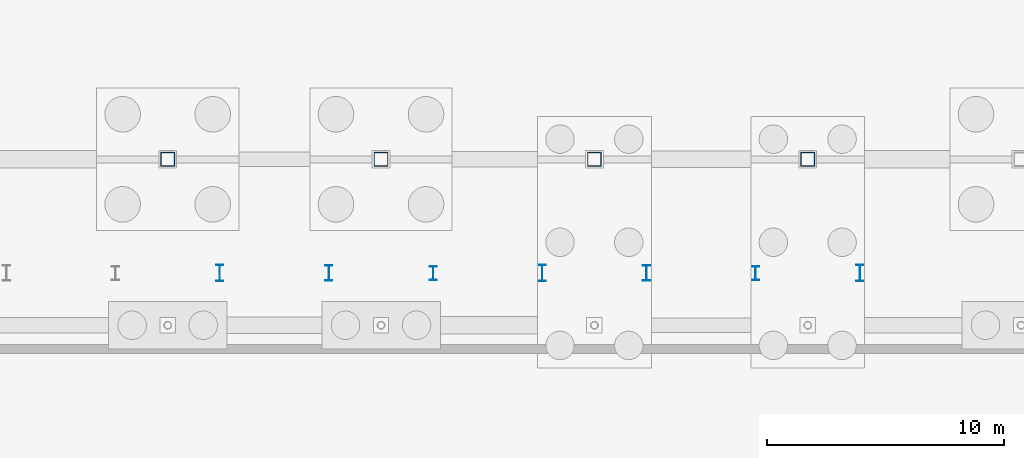
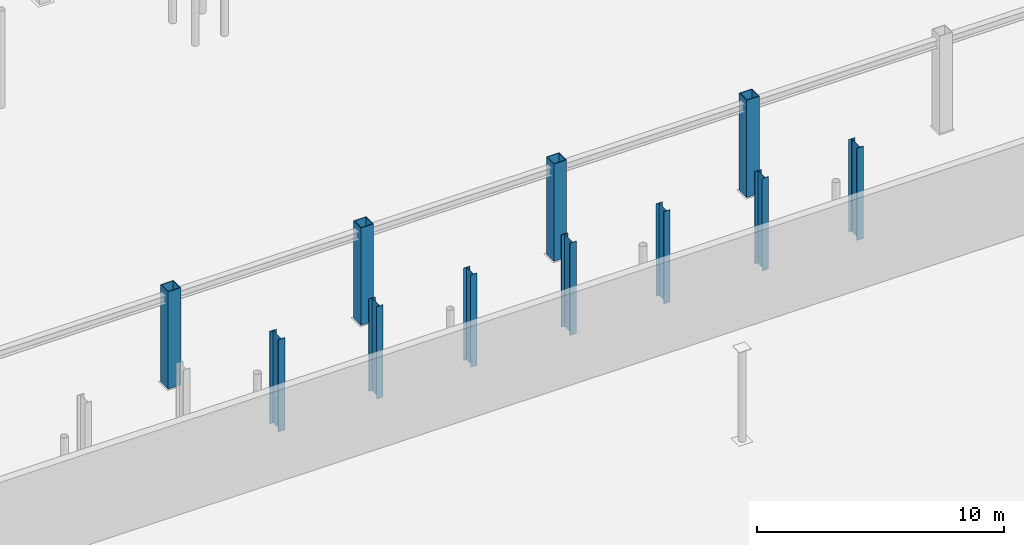
# One storey, part 20 of 74: 11 columns.
"""IFC4 building model written with IfcOpenShell, lengths in metres."""

from ifc_helpers import new_model, si_unit, direction, frame, origin, origin_2d, place, context, subcontext, project, spatial, hollow_rectangle, i_section, extrude, material, material_profile, profile_set, type_object, element, save


model = new_model("IFC4")

# Units and contexts
model_context = context("Model", 3, precision=1e-05, world=origin(), true_north=direction((0.0, 1.0)))
body_context = subcontext(model_context, "Body", "Model", "MODEL_VIEW")
ifc_project = project(units=[si_unit("LENGTHUNIT", "METRE"), si_unit("AREAUNIT", "SQUARE_METRE"), si_unit("VOLUMEUNIT", "CUBIC_METRE"), si_unit("PLANEANGLEUNIT", "RADIAN"), si_unit("MASSUNIT", "GRAM", prefix="KILO")], contexts=[model_context])

# Site, building, storey
site_placement = place(None, origin())
site = spatial("IfcSite", under=ifc_project, at=site_placement, CompositionType="ELEMENT")
building_placement = place(site_placement, origin())
building = spatial("IfcBuilding", under=site, at=building_placement, Name="Suzunagisa Mobility Hub", CompositionType="ELEMENT")
storey_placement = place(building_placement, frame((0.0, 0.0, -4.800048828125)))
storey = spatial("IfcBuildingStorey", under=building, at=storey_placement, Name="B1", CompositionType="ELEMENT", Elevation=-4.800048828125)

# Columns
ifc_material = material(Name="Steel SN490B", Category="steel")
ifc_material_profile_1 = material_profile(ifc_material, hollow_rectangle(XDim=0.60009765625, YDim=0.60009765625, WallThickness=0.031982421875, at=origin_2d()), Name="BOX-600x600x32")
ifc_profile_set_1 = profile_set([ifc_material_profile_1], Name="Steel SN490B")
column_type_1 = type_object("IfcColumnType", Name="Steel Column CL-05 BOX-600x600x32", PredefinedType="COLUMN", material=ifc_profile_set_1)
for number, where, z_axis, x_axis, name in (
    (1, (63.0, 36.0, 0.0), (0.0, 0.0, 1.0), (1.0, 0.0, 0.0), "B1 Column 135"),
    (2, (72.0, 36.0, 0.0), (0.0, 0.0, 1.0), (1.0, 0.0, 0.0), "B1 Column 151"),
    (3, (81.0, 36.0, 0.0), (0.0, 0.0, 1.0), (1.0, 0.0, 0.0), "B1 Column 167"),
    (4, (90.0, 36.0, 0.0), (0.0, 0.0, 1.0), (1.0, 0.0, 0.0), "B1 Column 183"),
):
    element("IfcColumn", number, at=place(storey_placement, frame(where, z_axis=z_axis, x_axis=x_axis)), inside=storey, type_object=column_type_1, Name=name, PredefinedType="COLUMN", context=body_context, shape_type="SweptSolid", body=[
        extrude(hollow_rectangle(XDim=0.60009765625, YDim=0.60009765625, WallThickness=0.031982421875, at=origin_2d()), origin(), (0.0, 0.0, 1.0), 4.800048828125),
    ])
ifc_material_profile_2 = material_profile(ifc_material, i_section(OverallWidth=0.300048828125, OverallDepth=0.587890625, WebThickness=0.011962890625, FlangeThickness=0.02001953125, FilletRadius=0.012939453125, at=origin_2d()), Name="H-588x300x12x20")
ifc_profile_set_2 = profile_set([ifc_material_profile_2], Name="Steel SN490B")
column_type_2 = type_object("IfcColumnType", Name="Steel Column CL-06 H-588x300x12x20", PredefinedType="PILASTER", material=ifc_profile_set_2)
for number, where, z_axis, x_axis, name in (
    (5, (74.199951171875, 31.199951171875, 0.0), (0.0, 0.0, 1.0), (1.0, 0.0, 0.0), "B1 Colonnade Pilaster Pier PL-05"),
    (6, (87.800048828125, 31.199951171875, 0.0), (0.0, 0.0, 1.0), (1.0, 0.0, 0.0), "B1 Colonnade Pilaster Pier PL-08"),
):
    element("IfcColumn", number, at=place(storey_placement, frame(where, z_axis=z_axis, x_axis=x_axis)), inside=storey, type_object=column_type_2, Name=name, PredefinedType="PILASTER", context=body_context, shape_type="SweptSolid", body=[
        extrude(i_section(OverallWidth=0.300048828125, OverallDepth=0.587890625, WebThickness=0.011962890625, FlangeThickness=0.02001953125, FilletRadius=0.012939453125, at=origin_2d()), origin(), (0.0, 0.0, 1.0), 4.554931640625),
    ])
ifc_material_profile_3 = material_profile(ifc_material, i_section(OverallWidth=0.300048828125, OverallDepth=0.699951171875, WebThickness=0.012939453125, FlangeThickness=0.02392578125, FilletRadius=0.01806640625, at=origin_2d()), Name="H-700x300x13x24")
ifc_profile_set_3 = profile_set([ifc_material_profile_3], Name="Steel SN490B")
column_type_3 = type_object("IfcColumnType", Name="Steel Column CL-14 H-700x300x13x24", PredefinedType="PILASTER", material=ifc_profile_set_3)
for number, where, z_axis, x_axis, name in (
    (7, (65.199951171875, 31.199951171875, 0.0), (0.0, 0.0, 1.0), (1.0, 0.0, 0.0), "B1 Colonnade Pilaster Pier PL-03"),
    (8, (78.800048828125, 31.199951171875, 0.0), (0.0, 0.0, 1.0), (1.0, 0.0, 0.0), "B1 Colonnade Pilaster Pier PL-06"),
    (9, (92.199951171875, 31.199951171875, 0.0), (0.0, 0.0, 1.0), (1.0, 0.0, 0.0), "B1 Colonnade Pilaster Pier PL-09"),
):
    element("IfcColumn", number, at=place(storey_placement, frame(where, z_axis=z_axis, x_axis=x_axis)), inside=storey, type_object=column_type_3, Name=name, PredefinedType="PILASTER", context=body_context, shape_type="SweptSolid", body=[
        extrude(i_section(OverallWidth=0.300048828125, OverallDepth=0.699951171875, WebThickness=0.012939453125, FlangeThickness=0.02392578125, FilletRadius=0.01806640625, at=origin_2d()), origin(), (0.0, 0.0, 1.0), 4.554931640625),
    ])
ifc_material_profile_4 = material_profile(ifc_material, i_section(OverallWidth=0.300048828125, OverallDepth=0.64990234375, WebThickness=0.012939453125, FlangeThickness=0.02197265625, FilletRadius=0.01611328125, at=origin_2d()), Name="H-650x300x13x22")
ifc_profile_set_4 = profile_set([ifc_material_profile_4], Name="Steel SN490B")
column_type_4 = type_object("IfcColumnType", Name="Steel Column CL-16 H-650x300x13x22", PredefinedType="PILASTER", material=ifc_profile_set_4)
for number, where, z_axis, x_axis, name in (
    (10, (69.800048828125, 31.199951171875, 0.0), (0.0, 0.0, 1.0), (1.0, 0.0, 0.0), "B1 Colonnade Pilaster Pier PL-04"),
    (11, (83.199951171875, 31.199951171875, 0.0), (0.0, 0.0, 1.0), (1.0, 0.0, 0.0), "B1 Colonnade Pilaster Pier PL-07"),
):
    element("IfcColumn", number, at=place(storey_placement, frame(where, z_axis=z_axis, x_axis=x_axis)), inside=storey, type_object=column_type_4, Name=name, PredefinedType="PILASTER", context=body_context, shape_type="SweptSolid", body=[
        extrude(i_section(OverallWidth=0.300048828125, OverallDepth=0.64990234375, WebThickness=0.012939453125, FlangeThickness=0.02197265625, FilletRadius=0.01611328125, at=origin_2d()), origin(), (0.0, 0.0, 1.0), 4.554931640625),
    ])

save(model, "model.ifc")
